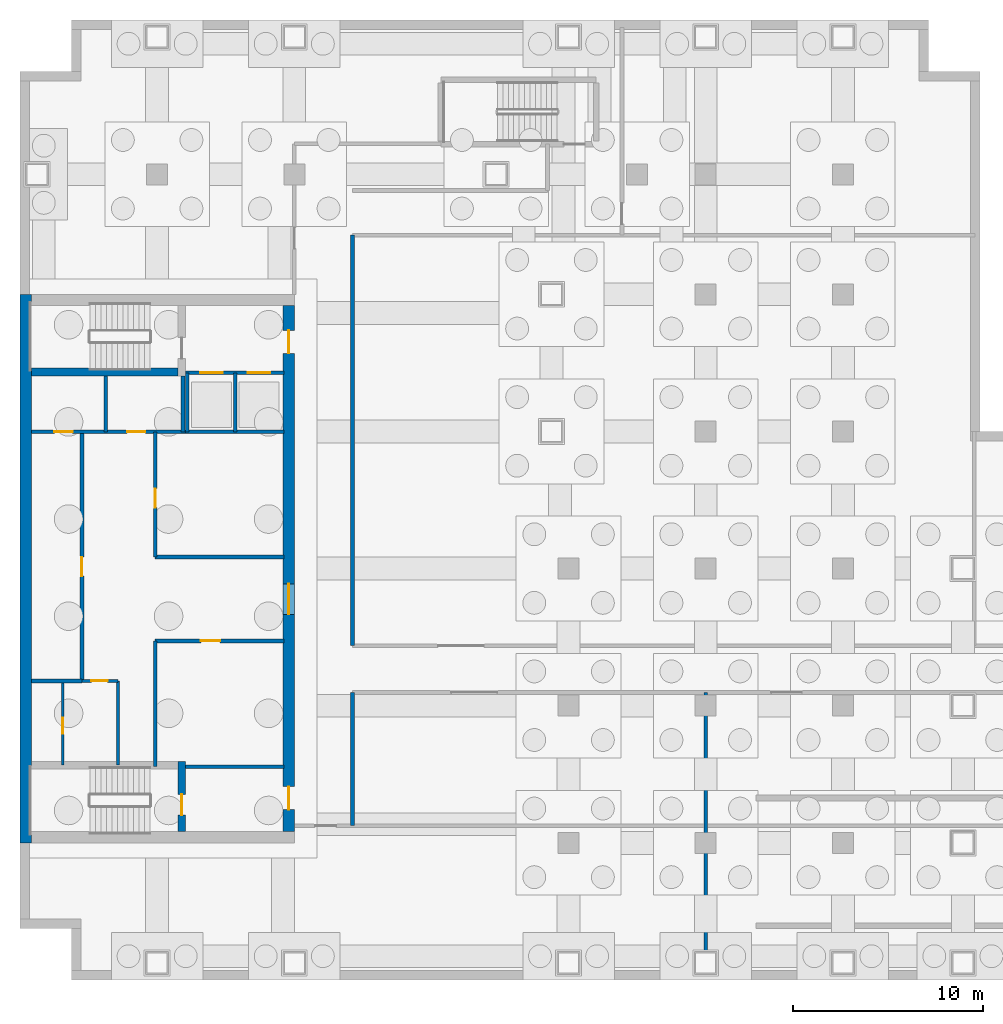
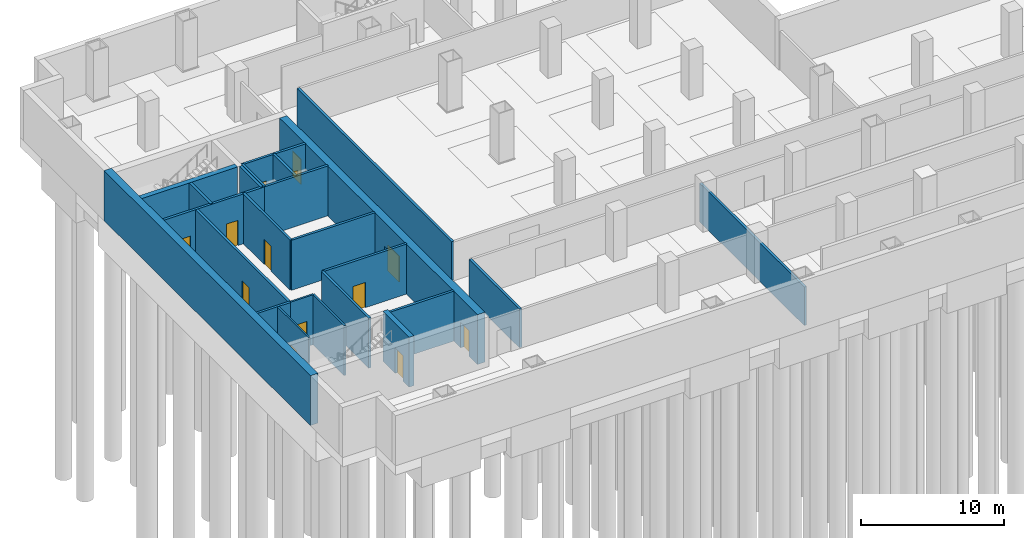
# One storey, part 5 of 11: 24 walls, 13 doors, 13 openings.
"""IFC4 building model written with IfcOpenShell, lengths in metres."""

from ifc_helpers import new_model, si_unit, direction, frame, frame_2d, origin, place, context, subcontext, project, spatial, rectangle, extrude, material, layer, layer_set, type_object, element, fill, save


model = new_model("IFC4")

# Units and contexts
model_context = context("Model", 3, precision=1e-05, world=origin(), true_north=direction((0.0, 1.0)))
body_context = subcontext(model_context, "Body", "Model", "MODEL_VIEW")
ifc_project = project(units=[si_unit("LENGTHUNIT", "METRE"), si_unit("AREAUNIT", "SQUARE_METRE"), si_unit("VOLUMEUNIT", "CUBIC_METRE"), si_unit("PLANEANGLEUNIT", "RADIAN"), si_unit("MASSUNIT", "GRAM", prefix="KILO")], contexts=[model_context])

# Site, building, storey
site_placement = place(None, origin())
site = spatial("IfcSite", under=ifc_project, at=site_placement, CompositionType="ELEMENT")
building_placement = place(site_placement, origin())
building = spatial("IfcBuilding", under=site, at=building_placement, Name="Cobrela Telecom Tower", CompositionType="ELEMENT")
storey_placement = place(building_placement, frame((0.0, 0.0, -9.10009765625)))
storey = spatial("IfcBuildingStorey", under=building, at=storey_placement, Name="B2", CompositionType="ELEMENT", Elevation=-9.10009765625)

# Wall
ifc_material_1 = material(Name="Concrete C50/60", Category="concrete")
ifc_layer_1 = layer(ifc_material_1, 0.60009765625)
ifc_layer_set_1 = layer_set([ifc_layer_1], Name="Concrete C50/60")
wall_type_1 = type_object("IfcWallType", Name="WALL-CORE-C50-600", PredefinedType="SHEAR", material=ifc_layer_set_1)
wall_1_placement = place(storey_placement, frame((0.300048828125, 7.199951171875, 0.0), z_axis=(0.0, 0.0, 1.0), x_axis=(0.0, 1.0, 0.0)))
element("IfcWall", 1, at=wall_1_placement, inside=storey, type_object=wall_type_1, Name="B2 West Core Shear Wall", PredefinedType="SHEAR", context=body_context, shape_type="SweptSolid", body=[
    extrude(rectangle(XDim=28.800048828125, YDim=0.60009765625, at=frame_2d((14.39990234375, 0.0))), origin(), (0.0, 0.0, 1.0), 4.25),
])

# Wall, openings, doors
wall_2_placement = place(storey_placement, frame((14.10009765625, 35.39990234375, 0.0), z_axis=(0.0, 0.0, 1.0), x_axis=(0.0, -1.0, 0.0)))
wall_2 = element("IfcWall", 2, at=wall_2_placement, inside=storey, type_object=wall_type_1, Name="B2 East Core Shear Wall", PredefinedType="SHEAR", context=body_context, shape_type="SweptSolid", body=[
    extrude(rectangle(XDim=27.599853515625, YDim=0.60009765625, at=frame_2d((13.7998046875, 0.0))), origin(), (0.0, 0.0, 1.0), 4.25),
])
opening_1_placement = place(wall_2_placement, frame((1.300048828125, 0.0, 0.0)))
opening_1 = element("IfcOpeningElement", 3, at=opening_1_placement, cuts=wall_2, Name="Opening DR-19", PredefinedType="OPENING", context=body_context, shape_type="SweptSolid", body=[
    extrude(rectangle(XDim=1.199951171875, YDim=2.14990234375, at=frame_2d((0.60009765625, 1.074951171875))), frame((0.0, 0.31201171875, 0.0), z_axis=(0.0, -1.0, 0.0), x_axis=(1.0, 0.0, 0.0)), (0.0, 0.0, 1.0), 0.6240234375),
])
opening_2_placement = place(wall_2_placement, frame((25.25, 0.0, 0.0)))
opening_2 = element("IfcOpeningElement", 4, at=opening_2_placement, cuts=wall_2, Name="Opening DR-19", PredefinedType="OPENING", context=body_context, shape_type="SweptSolid", body=[
    extrude(rectangle(XDim=1.199951171875, YDim=2.14990234375, at=frame_2d((0.60009765625, 1.074951171875))), frame((0.0, 0.31201171875, 0.0), z_axis=(0.0, -1.0, 0.0), x_axis=(1.0, 0.0, 0.0)), (0.0, 0.0, 1.0), 0.6240234375),
])
opening_3_placement = place(wall_2_placement, frame((14.60009765625, 0.0, 0.0)))
opening_3 = element("IfcOpeningElement", 5, at=opening_3_placement, cuts=wall_2, Name="Opening DR-51", PredefinedType="OPENING", context=body_context, shape_type="SweptSolid", body=[
    extrude(rectangle(XDim=1.60009765625, YDim=2.199951171875, at=frame_2d((0.800048828125, 1.10009765625))), frame((0.0, 0.31201171875, 0.0), z_axis=(0.0, -1.0, 0.0), x_axis=(1.0, 0.0, 0.0)), (0.0, 0.0, 1.0), 0.6240234375),
])
ifc_material_2 = material(Name="Steel ASTM A36", Category="steel")
door_type_1 = type_object("IfcDoorType", Name="DOOR-FD60-1200", OperationType="SINGLE_SWING_LEFT", PredefinedType="DOOR", material=ifc_material_2)
door_1_placement = place(opening_1_placement, origin())
door_1 = element("IfcDoor", 6, at=door_1_placement, inside=storey, type_object=door_type_1, Name="B2 Door DR-19", OperationType="SINGLE_SWING_LEFT", OverallHeight=2.14990234375, OverallWidth=1.199951171875, PredefinedType="DOOR", context=body_context, shape_type="SweptSolid", body=[
    extrude(rectangle(XDim=1.199951171875, YDim=2.14990234375, at=frame_2d((0.60009765625, 1.074951171875))), frame((0.0, 0.02490234375, 0.0), z_axis=(0.0, -1.0, 0.0), x_axis=(1.0, 0.0, 0.0)), (0.0, 0.0, 1.0), 0.050048828125),
])
fill(opening_1, door_1)
door_2_placement = place(opening_2_placement, origin())
door_2 = element("IfcDoor", 7, at=door_2_placement, inside=storey, type_object=door_type_1, Name="B2 Door DR-19", OperationType="SINGLE_SWING_RIGHT", OverallHeight=2.14990234375, OverallWidth=1.199951171875, PredefinedType="DOOR", context=body_context, shape_type="SweptSolid", body=[
    extrude(rectangle(XDim=1.199951171875, YDim=2.14990234375, at=frame_2d((0.60009765625, 1.074951171875))), frame((0.0, 0.02490234375, 0.0), z_axis=(0.0, -1.0, 0.0), x_axis=(1.0, 0.0, 0.0)), (0.0, 0.0, 1.0), 0.050048828125),
])
fill(opening_2, door_2)
door_type_2 = type_object("IfcDoorType", Name="DOOR-FD60-1600", OperationType="SINGLE_SWING_LEFT", PredefinedType="DOOR", material=ifc_material_2)
door_3_placement = place(opening_3_placement, origin())
door_3 = element("IfcDoor", 8, at=door_3_placement, inside=storey, type_object=door_type_2, Name="B2 Door DR-51", OperationType="DOUBLE_DOOR_SINGLE_SWING", OverallHeight=2.199951171875, OverallWidth=1.60009765625, PredefinedType="DOOR", context=body_context, shape_type="SweptSolid", body=[
    extrude(rectangle(XDim=1.60009765625, YDim=2.199951171875, at=frame_2d((0.800048828125, 1.10009765625))), frame((0.0, 0.02490234375, 0.0), z_axis=(0.0, -1.0, 0.0), x_axis=(1.0, 0.0, 0.0)), (0.0, 0.0, 1.0), 0.050048828125),
])
fill(opening_3, door_3)

# Wall, opening, door
ifc_material_3 = material(Name="Fire-Rated Gypsum Plasterboard")
ifc_layer_2 = layer(ifc_material_3, 0.125)
ifc_layer_set_2 = layer_set([ifc_layer_2], Name="Fire-Rated Gypsum Plasterboard")
wall_type_2 = type_object("IfcWallType", Name="WALL-PART-125", PredefinedType="PARTITIONING", material=ifc_layer_set_2)
wall_3_placement = place(storey_placement, frame((2.25, 11.280029296875, 0.0), z_axis=(0.0, 0.0, 1.0), x_axis=(0.0, 1.0, 0.0)))
wall_3 = element("IfcWall", 9, at=wall_3_placement, inside=storey, type_object=wall_type_2, Name="B2 Interior Partition CW-FK0-V", PredefinedType="PARTITIONING", context=body_context, shape_type="SweptSolid", body=[
    extrude(rectangle(XDim=4.419921875, YDim=0.125, at=frame_2d((2.2099609375, 0.0))), origin(), (0.0, 0.0, 1.0), 4.25),
])
opening_4_placement = place(wall_3_placement, frame((1.64990234375, 0.0, 0.0)))
opening_4 = element("IfcOpeningElement", 10, at=opening_4_placement, cuts=wall_3, Name="Opening DR-11", PredefinedType="OPENING", context=body_context, shape_type="SweptSolid", body=[
    extrude(rectangle(XDim=0.85009765625, YDim=2.14990234375, at=frame_2d((0.425048828125, 1.074951171875))), frame((0.0, 0.074462890625, 0.0), z_axis=(0.0, -1.0, 0.0), x_axis=(1.0, 0.0, 0.0)), (0.0, 0.0, 1.0), 0.14892578125),
])
ifc_material_4 = material(Name="Solid Engineered Oak Timber", Category="wood")
door_type_3 = type_object("IfcDoorType", Name="DOOR-INT-850", OperationType="SINGLE_SWING_LEFT", PredefinedType="DOOR", material=ifc_material_4)
door_4_placement = place(opening_4_placement, origin())
door_4 = element("IfcDoor", 11, at=door_4_placement, inside=storey, type_object=door_type_3, Name="B2 Door DR-11", OperationType="SINGLE_SWING_LEFT", OverallHeight=2.14990234375, OverallWidth=0.85009765625, PredefinedType="DOOR", context=body_context, shape_type="SweptSolid", body=[
    extrude(rectangle(XDim=0.85009765625, YDim=2.14990234375, at=frame_2d((0.425048828125, 1.074951171875))), frame((0.0, 0.02490234375, 0.0), z_axis=(0.0, -1.0, 0.0), x_axis=(1.0, 0.0, 0.0)), (0.0, 0.0, 1.0), 0.050048828125),
])
fill(opening_4, door_4)

ifc_layer_3 = layer(ifc_material_3, 0.14990234375)
ifc_layer_set_3 = layer_set([ifc_layer_3], Name="Fire-Rated Gypsum Plasterboard")
wall_type_3 = type_object("IfcWallType", Name="WALL-PART-150", PredefinedType="PARTITIONING", material=ifc_layer_set_3)
wall_4_placement = place(storey_placement, frame((3.25, 15.699951171875, 0.0), z_axis=(0.0, 0.0, 1.0), x_axis=(1.0, 0.0, 0.0)))
wall_4 = element("IfcWall", 12, at=wall_4_placement, inside=storey, type_object=wall_type_3, Name="B2 Interior Partition CW-FLEX-N", PredefinedType="PARTITIONING", context=body_context, shape_type="SweptSolid", body=[
    extrude(rectangle(XDim=1.89990234375, YDim=0.14990234375, at=frame_2d((0.949951171875, 0.0))), origin(), (0.0, 0.0, 1.0), 4.25),
])
opening_5_placement = place(wall_4_placement, frame((0.5, 0.0, 0.0)))
opening_5 = element("IfcOpeningElement", 13, at=opening_5_placement, cuts=wall_4, Name="Opening DR-11", PredefinedType="OPENING", context=body_context, shape_type="SweptSolid", body=[
    extrude(rectangle(XDim=0.85009765625, YDim=2.14990234375, at=frame_2d((0.425048828125, 1.074951171875))), frame((0.0, 0.0869140625, 0.0), z_axis=(0.0, -1.0, 0.0), x_axis=(1.0, 0.0, 0.0)), (0.0, 0.0, 1.0), 0.173828125),
])
door_5_placement = place(opening_5_placement, origin())
door_5 = element("IfcDoor", 14, at=door_5_placement, inside=storey, type_object=door_type_3, Name="B2 Door DR-11", OperationType="SINGLE_SWING_RIGHT", OverallHeight=2.14990234375, OverallWidth=0.85009765625, PredefinedType="DOOR", context=body_context, shape_type="SweptSolid", body=[
    extrude(rectangle(XDim=0.85009765625, YDim=2.14990234375, at=frame_2d((0.425048828125, 1.074951171875))), frame((0.0, 0.02490234375, 0.0), z_axis=(0.0, -1.0, 0.0), x_axis=(1.0, 0.0, 0.0)), (0.0, 0.0, 1.0), 0.050048828125),
])
fill(opening_5, door_5)

# Wall
wall_5_placement = place(storey_placement, frame((5.14990234375, 11.280029296875, 0.0), z_axis=(0.0, 0.0, 1.0), x_axis=(0.0, 1.0, 0.0)))
element("IfcWall", 15, at=wall_5_placement, inside=storey, type_object=wall_type_3, Name="B2 Interior Partition CW-FLEX-E", PredefinedType="PARTITIONING", context=body_context, shape_type="SweptSolid", body=[
    extrude(rectangle(XDim=4.419921875, YDim=0.14990234375, at=frame_2d((2.2099609375, 0.0))), origin(), (0.0, 0.0, 1.0), 4.25),
])

# Wall, openings, doors
ifc_layer_4 = layer(ifc_material_3, 0.199951171875)
ifc_layer_set_4 = layer_set([ifc_layer_4], Name="Fire-Rated Gypsum Plasterboard")
wall_type_4 = type_object("IfcWallType", Name="WALL-SHAFT-200", PredefinedType="PARTITIONING", material=ifc_layer_set_4)
wall_6_placement = place(storey_placement, frame((8.699951171875, 31.8798828125, 0.0), z_axis=(0.0, 0.0, 1.0), x_axis=(1.0, 0.0, 0.0)))
wall_6 = element("IfcWall", 16, at=wall_6_placement, inside=storey, type_object=wall_type_4, Name="B2 Shaft Enclosure CW-FFL-S", PredefinedType="PARTITIONING", context=body_context, shape_type="SweptSolid", body=[
    extrude(rectangle(XDim=5.150146484375, YDim=0.199951171875, at=frame_2d((2.5751953125, 0.0))), origin(), (0.0, 0.0, 1.0), 4.25),
])
opening_6_placement = place(wall_6_placement, frame((0.75, 0.0, 0.0)))
opening_6 = element("IfcOpeningElement", 17, at=opening_6_placement, cuts=wall_6, Name="Opening LD-2", PredefinedType="OPENING", context=body_context, shape_type="SweptSolid", body=[
    extrude(rectangle(XDim=1.199951171875, YDim=2.199951171875, at=frame_2d((0.60009765625, 1.10009765625))), frame((0.0, 0.11181640625, 0.0), z_axis=(0.0, -1.0, 0.0), x_axis=(1.0, 0.0, 0.0)), (0.0, 0.0, 1.0), 0.223876953125),
])
opening_7_placement = place(wall_6_placement, frame((3.25, 0.0, 0.0)))
opening_7 = element("IfcOpeningElement", 18, at=opening_7_placement, cuts=wall_6, Name="Opening LD-2", PredefinedType="OPENING", context=body_context, shape_type="SweptSolid", body=[
    extrude(rectangle(XDim=1.199951171875, YDim=2.199951171875, at=frame_2d((0.60009765625, 1.10009765625))), frame((0.0, 0.11181640625, 0.0), z_axis=(0.0, -1.0, 0.0), x_axis=(1.0, 0.0, 0.0)), (0.0, 0.0, 1.0), 0.223876953125),
])
door_type_4 = type_object("IfcDoorType", Name="DOOR-LD-FFL", OperationType="SINGLE_SWING_LEFT", PredefinedType="DOOR", material=ifc_material_2)
door_6_placement = place(opening_6_placement, origin())
door_6 = element("IfcDoor", 19, at=door_6_placement, inside=storey, type_object=door_type_4, Name="B2 Lift Landing Door LD-2", OperationType="DOUBLE_DOOR_SLIDING", OverallHeight=2.199951171875, OverallWidth=1.199951171875, PredefinedType="DOOR", context=body_context, shape_type="SweptSolid", body=[
    extrude(rectangle(XDim=1.199951171875, YDim=2.199951171875, at=frame_2d((0.60009765625, 1.10009765625))), frame((0.0, 0.02490234375, 0.0), z_axis=(0.0, -1.0, 0.0), x_axis=(1.0, 0.0, 0.0)), (0.0, 0.0, 1.0), 0.050048828125),
])
fill(opening_6, door_6)
door_7_placement = place(opening_7_placement, origin())
door_7 = element("IfcDoor", 20, at=door_7_placement, inside=storey, type_object=door_type_4, Name="B2 Lift Landing Door LD-2", OperationType="DOUBLE_DOOR_SLIDING", OverallHeight=2.199951171875, OverallWidth=1.199951171875, PredefinedType="DOOR", context=body_context, shape_type="SweptSolid", body=[
    extrude(rectangle(XDim=1.199951171875, YDim=2.199951171875, at=frame_2d((0.60009765625, 1.10009765625))), frame((0.0, 0.02490234375, 0.0), z_axis=(0.0, -1.0, 0.0), x_axis=(1.0, 0.0, 0.0)), (0.0, 0.0, 1.0), 0.050048828125),
])
fill(opening_7, door_7)

# Walls
for number, where, z_axis, x_axis, name in (
    (21, (8.699951171875, 11.199951171875, 0.0), (0.0, 0.0, 1.0), (1.0, 0.0, 0.0), "B2 Shaft Enclosure CW-ST2L-N"),
    (22, (8.699951171875, 28.780029296875, 0.0), (0.0, 0.0, 1.0), (1.0, 0.0, 0.0), "B2 Shaft Enclosure CW-FFL-S2"),
):
    element("IfcWall", number, at=place(storey_placement, frame(where, z_axis=z_axis, x_axis=x_axis)), inside=storey, type_object=wall_type_4, Name=name, PredefinedType="PARTITIONING", context=body_context, shape_type="SweptSolid", body=[
        extrude(rectangle(XDim=5.150146484375, YDim=0.199951171875, at=frame_2d((2.5751953125, 0.0))), origin(), (0.0, 0.0, 1.0), 4.25),
    ])
for number, where, z_axis, x_axis, name in (
    (23, (8.780029296875, 28.780029296875, 0.0), (0.0, 0.0, 1.0), (0.0, 1.0, 0.0), "B2 Shaft Enclosure CW-FFL-W"),
    (24, (11.300048828125, 28.780029296875, 0.0), (0.0, 0.0, 1.0), (0.0, 1.0, 0.0), "B2 Shaft Enclosure CW-FFL-M"),
):
    element("IfcWall", number, at=place(storey_placement, frame(where, z_axis=z_axis, x_axis=x_axis)), inside=storey, type_object=wall_type_4, Name=name, PredefinedType="PARTITIONING", context=body_context, shape_type="SweptSolid", body=[
        extrude(rectangle(XDim=3.099853515625, YDim=0.199951171875, at=frame_2d((1.5498046875, 0.0))), origin(), (0.0, 0.0, 1.0), 4.25),
    ])

# Wall, openings, doors
wall_7_placement = place(storey_placement, frame((0.60009765625, 28.780029296875, 0.0), z_axis=(0.0, 0.0, 1.0), x_axis=(1.0, 0.0, 0.0)))
wall_7 = element("IfcWall", 25, at=wall_7_placement, inside=storey, type_object=wall_type_4, Name="B2 Shaft Enclosure CW-RIS-S", PredefinedType="PARTITIONING", context=body_context, shape_type="SweptSolid", body=[
    extrude(rectangle(XDim=8.179931640625, YDim=0.199951171875, at=frame_2d((4.08984375, 0.0))), origin(), (0.0, 0.0, 1.0), 4.25),
])
opening_8_placement = place(wall_7_placement, frame((1.2099609375, 0.0, 0.0)))
opening_8 = element("IfcOpeningElement", 26, at=opening_8_placement, cuts=wall_7, Name="Opening DR-65", PredefinedType="OPENING", context=body_context, shape_type="SweptSolid", body=[
    extrude(rectangle(XDim=0.949951171875, YDim=2.14990234375, at=frame_2d((0.47509765625, 1.074951171875))), frame((0.0, 0.11181640625, 0.0), z_axis=(0.0, -1.0, 0.0), x_axis=(1.0, 0.0, 0.0)), (0.0, 0.0, 1.0), 0.223876953125),
])
opening_9_placement = place(wall_7_placement, frame((5.030029296875, 0.0, 0.0)))
opening_9 = element("IfcOpeningElement", 27, at=opening_9_placement, cuts=wall_7, Name="Opening DR-65", PredefinedType="OPENING", context=body_context, shape_type="SweptSolid", body=[
    extrude(rectangle(XDim=0.949951171875, YDim=2.14990234375, at=frame_2d((0.47509765625, 1.074951171875))), frame((0.0, 0.11181640625, 0.0), z_axis=(0.0, -1.0, 0.0), x_axis=(1.0, 0.0, 0.0)), (0.0, 0.0, 1.0), 0.223876953125),
])
door_type_5 = type_object("IfcDoorType", Name="DOOR-FD60-950", OperationType="SINGLE_SWING_LEFT", PredefinedType="DOOR", material=ifc_material_2)
door_8_placement = place(opening_8_placement, origin())
door_8 = element("IfcDoor", 28, at=door_8_placement, inside=storey, type_object=door_type_5, Name="B2 Door DR-65", OperationType="SINGLE_SWING_LEFT", OverallHeight=2.14990234375, OverallWidth=0.949951171875, PredefinedType="DOOR", context=body_context, shape_type="SweptSolid", body=[
    extrude(rectangle(XDim=0.949951171875, YDim=2.14990234375, at=frame_2d((0.47509765625, 1.074951171875))), frame((0.0, 0.02490234375, 0.0), z_axis=(0.0, -1.0, 0.0), x_axis=(1.0, 0.0, 0.0)), (0.0, 0.0, 1.0), 0.050048828125),
])
fill(opening_8, door_8)
door_9_placement = place(opening_9_placement, origin())
door_9 = element("IfcDoor", 29, at=door_9_placement, inside=storey, type_object=door_type_5, Name="B2 Door DR-65", OperationType="SINGLE_SWING_RIGHT", OverallHeight=2.14990234375, OverallWidth=0.949951171875, PredefinedType="DOOR", context=body_context, shape_type="SweptSolid", body=[
    extrude(rectangle(XDim=0.949951171875, YDim=2.14990234375, at=frame_2d((0.47509765625, 1.074951171875))), frame((0.0, 0.02490234375, 0.0), z_axis=(0.0, -1.0, 0.0), x_axis=(1.0, 0.0, 0.0)), (0.0, 0.0, 1.0), 0.050048828125),
])
fill(opening_9, door_9)

# Walls
for number, where, z_axis, x_axis, name in (
    (30, (4.5, 28.780029296875, 0.0), (0.0, 0.0, 1.0), (0.0, 1.0, 0.0), "B2 Shaft Enclosure CW-RIS-M"),
    (31, (8.550048828125, 28.780029296875, 0.0), (0.0, 0.0, 1.0), (0.0, 1.0, 0.0), "B2 Shaft Enclosure CW-RIS-E"),
):
    element("IfcWall", number, at=place(storey_placement, frame(where, z_axis=z_axis, x_axis=x_axis)), inside=storey, type_object=wall_type_4, Name=name, PredefinedType="PARTITIONING", context=body_context, shape_type="SweptSolid", body=[
        extrude(rectangle(XDim=2.93994140625, YDim=0.199951171875, at=frame_2d((1.469970703125, 0.0))), origin(), (0.0, 0.0, 1.0), 4.25),
    ])

# Wall, opening, door
wall_8_placement = place(storey_placement, frame((3.25, 15.699951171875, 0.0), z_axis=(0.0, 0.0, 1.0), x_axis=(0.0, 1.0, 0.0)))
wall_8 = element("IfcWall", 32, at=wall_8_placement, inside=storey, type_object=wall_type_4, Name="B2 Shaft Enclosure CW-PLH-E", PredefinedType="PARTITIONING", context=body_context, shape_type="SweptSolid", body=[
    extrude(rectangle(XDim=13.080078125, YDim=0.199951171875, at=frame_2d((6.5400390625, 0.0))), origin(), (0.0, 0.0, 1.0), 4.25),
])
opening_10_placement = place(wall_8_placement, frame((5.5, 0.0, 0.0)))
opening_10 = element("IfcOpeningElement", 33, at=opening_10_placement, cuts=wall_8, Name="Opening DR-15", PredefinedType="OPENING", context=body_context, shape_type="SweptSolid", body=[
    extrude(rectangle(XDim=1.0, YDim=2.14990234375, at=frame_2d((0.5, 1.074951171875))), frame((0.0, 0.11181640625, 0.0), z_axis=(0.0, -1.0, 0.0), x_axis=(1.0, 0.0, 0.0)), (0.0, 0.0, 1.0), 0.223876953125),
])
door_type_6 = type_object("IfcDoorType", Name="DOOR-FD60-1000", OperationType="SINGLE_SWING_LEFT", PredefinedType="DOOR", material=ifc_material_2)
door_10_placement = place(opening_10_placement, origin())
door_10 = element("IfcDoor", 34, at=door_10_placement, inside=storey, type_object=door_type_6, Name="B2 Door DR-15", OperationType="SINGLE_SWING_RIGHT", OverallHeight=2.14990234375, OverallWidth=1.0, PredefinedType="DOOR", context=body_context, shape_type="SweptSolid", body=[
    extrude(rectangle(XDim=1.0, YDim=2.14990234375, at=frame_2d((0.5, 1.074951171875))), frame((0.0, 0.02490234375, 0.0), z_axis=(0.0, -1.0, 0.0), x_axis=(1.0, 0.0, 0.0)), (0.0, 0.0, 1.0), 0.050048828125),
])
fill(opening_10, door_10)

# Wall
wall_9_placement = place(storey_placement, frame((0.60009765625, 15.699951171875, 0.0), z_axis=(0.0, 0.0, 1.0), x_axis=(1.0, 0.0, 0.0)))
element("IfcWall", 35, at=wall_9_placement, inside=storey, type_object=wall_type_4, Name="B2 Shaft Enclosure CW-PLH-BS", PredefinedType="PARTITIONING", context=body_context, shape_type="SweptSolid", body=[
    extrude(rectangle(XDim=2.64990234375, YDim=0.199951171875, at=frame_2d((1.324951171875, 0.0))), origin(), (0.0, 0.0, 1.0), 4.25),
])

# Wall, opening, door
wall_10_placement = place(storey_placement, frame((7.10009765625, 22.199951171875, 0.0), z_axis=(0.0, 0.0, 1.0), x_axis=(0.0, 1.0, 0.0)))
wall_10 = element("IfcWall", 36, at=wall_10_placement, inside=storey, type_object=wall_type_4, Name="B2 Shaft Enclosure CW-PLL-W", PredefinedType="PARTITIONING", context=body_context, shape_type="SweptSolid", body=[
    extrude(rectangle(XDim=6.580078125, YDim=0.199951171875, at=frame_2d((3.2900390625, 0.0))), origin(), (0.0, 0.0, 1.0), 4.25),
])
opening_11_placement = place(wall_10_placement, frame((2.60009765625, 0.0, 0.0)))
opening_11 = element("IfcOpeningElement", 37, at=opening_11_placement, cuts=wall_10, Name="Opening DR-15", PredefinedType="OPENING", context=body_context, shape_type="SweptSolid", body=[
    extrude(rectangle(XDim=1.0, YDim=2.14990234375, at=frame_2d((0.5, 1.074951171875))), frame((0.0, 0.11181640625, 0.0), z_axis=(0.0, -1.0, 0.0), x_axis=(1.0, 0.0, 0.0)), (0.0, 0.0, 1.0), 0.223876953125),
])
door_11_placement = place(opening_11_placement, origin())
door_11 = element("IfcDoor", 38, at=door_11_placement, inside=storey, type_object=door_type_6, Name="B2 Door DR-15", OperationType="SINGLE_SWING_RIGHT", OverallHeight=2.14990234375, OverallWidth=1.0, PredefinedType="DOOR", context=body_context, shape_type="SweptSolid", body=[
    extrude(rectangle(XDim=1.0, YDim=2.14990234375, at=frame_2d((0.5, 1.074951171875))), frame((0.0, 0.02490234375, 0.0), z_axis=(0.0, -1.0, 0.0), x_axis=(1.0, 0.0, 0.0)), (0.0, 0.0, 1.0), 0.050048828125),
])
fill(opening_11, door_11)

# Wall
wall_11_placement = place(storey_placement, frame((7.10009765625, 22.199951171875, 0.0), z_axis=(0.0, 0.0, 1.0), x_axis=(1.0, 0.0, 0.0)))
element("IfcWall", 39, at=wall_11_placement, inside=storey, type_object=wall_type_4, Name="B2 Shaft Enclosure CW-PLL-BS", PredefinedType="PARTITIONING", context=body_context, shape_type="SweptSolid", body=[
    extrude(rectangle(XDim=6.75, YDim=0.199951171875, at=frame_2d((3.375, 0.0))), origin(), (0.0, 0.0, 1.0), 4.25),
])

# Wall, opening, door
wall_12_placement = place(storey_placement, frame((7.10009765625, 17.800048828125, 0.0), z_axis=(0.0, 0.0, 1.0), x_axis=(1.0, 0.0, 0.0)))
wall_12 = element("IfcWall", 40, at=wall_12_placement, inside=storey, type_object=wall_type_4, Name="B2 Shaft Enclosure CW-PLM-N", PredefinedType="PARTITIONING", context=body_context, shape_type="SweptSolid", body=[
    extrude(rectangle(XDim=6.75, YDim=0.199951171875, at=frame_2d((3.375, 0.0))), origin(), (0.0, 0.0, 1.0), 4.25),
])
opening_12_placement = place(wall_12_placement, frame((2.39990234375, 0.0, 0.0)))
opening_12 = element("IfcOpeningElement", 41, at=opening_12_placement, cuts=wall_12, Name="Opening DR-15", PredefinedType="OPENING", context=body_context, shape_type="SweptSolid", body=[
    extrude(rectangle(XDim=1.0, YDim=2.14990234375, at=frame_2d((0.5, 1.074951171875))), frame((0.0, 0.11181640625, 0.0), z_axis=(0.0, -1.0, 0.0), x_axis=(1.0, 0.0, 0.0)), (0.0, 0.0, 1.0), 0.223876953125),
])
door_12_placement = place(opening_12_placement, origin())
door_12 = element("IfcDoor", 42, at=door_12_placement, inside=storey, type_object=door_type_6, Name="B2 Door DR-15", OperationType="SINGLE_SWING_LEFT", OverallHeight=2.14990234375, OverallWidth=1.0, PredefinedType="DOOR", context=body_context, shape_type="SweptSolid", body=[
    extrude(rectangle(XDim=1.0, YDim=2.14990234375, at=frame_2d((0.5, 1.074951171875))), frame((0.0, 0.02490234375, 0.0), z_axis=(0.0, -1.0, 0.0), x_axis=(1.0, 0.0, 0.0)), (0.0, 0.0, 1.0), 0.050048828125),
])
fill(opening_12, door_12)

# Walls
wall_13_placement = place(storey_placement, frame((7.10009765625, 11.199951171875, 0.0), z_axis=(0.0, 0.0, 1.0), x_axis=(0.0, 1.0, 0.0)))
element("IfcWall", 43, at=wall_13_placement, inside=storey, type_object=wall_type_4, Name="B2 Shaft Enclosure CW-PLM-W", PredefinedType="PARTITIONING", context=body_context, shape_type="SweptSolid", body=[
    extrude(rectangle(XDim=6.60009765625, YDim=0.199951171875, at=frame_2d((3.300048828125, 0.0))), origin(), (0.0, 0.0, 1.0), 4.25),
])
wall_14_placement = place(storey_placement, frame((17.449951171875, 8.10009765625, 0.0), z_axis=(0.0, 0.0, 1.0), x_axis=(0.0, 1.0, 0.0)))
element("IfcWall", 44, at=wall_14_placement, inside=storey, type_object=wall_type_4, Name="B2 Shaft Enclosure W-B2-E1", PredefinedType="PARTITIONING", context=body_context, shape_type="SweptSolid", body=[
    extrude(rectangle(XDim=7.0, YDim=0.199951171875, at=frame_2d((3.5, 0.0))), origin(), (0.0, 0.0, 1.0), 3.2880859375),
])
wall_15_placement = place(storey_placement, frame((17.449951171875, 17.550048828125, 0.0), z_axis=(0.0, 0.0, 1.0), x_axis=(0.0, 1.0, 0.0)))
element("IfcWall", 45, at=wall_15_placement, inside=storey, type_object=wall_type_4, Name="B2 Shaft Enclosure W-B2-E2", PredefinedType="PARTITIONING", context=body_context, shape_type="SweptSolid", body=[
    extrude(rectangle(XDim=21.550048828125, YDim=0.199951171875, at=frame_2d((10.77490234375, 0.0))), origin(), (0.0, 0.0, 1.0), 3.2880859375),
])
wall_16_placement = place(storey_placement, frame((36.0, 0.5, 0.0), z_axis=(0.0, 0.0, 1.0), x_axis=(0.0, 1.0, 0.0)))
element("IfcWall", 46, at=wall_16_placement, inside=storey, type_object=wall_type_4, Name="B2 Shaft Enclosure W-B2-V2", PredefinedType="PARTITIONING", context=body_context, shape_type="SweptSolid", body=[
    extrude(rectangle(XDim=14.60009765625, YDim=0.199951171875, at=frame_2d((7.300048828125, 0.0))), origin(), (0.0, 0.0, 1.0), 3.2880859375),
])
ifc_material_5 = material(Name="Concrete C40/50", Category="concrete")
ifc_layer_5 = layer(ifc_material_5, 0.39990234375)
ifc_layer_set_5 = layer_set([ifc_layer_5], Name="Concrete C40/50")
wall_type_5 = type_object("IfcWallType", Name="WALL-SHAFT-C40-400", PredefinedType="SHEAR", material=ifc_layer_set_5)
wall_17_placement = place(storey_placement, frame((0.60009765625, 31.919921875, 0.0), z_axis=(0.0, 0.0, 1.0), x_axis=(1.0, 0.0, 0.0)))
element("IfcWall", 47, at=wall_17_placement, inside=storey, type_object=wall_type_5, Name="B2 North Stair Shear Wall", PredefinedType="SHEAR", context=body_context, shape_type="SweptSolid", body=[
    extrude(rectangle(XDim=7.699951171875, YDim=0.39990234375, at=frame_2d((3.85009765625, 0.0))), origin(), (0.0, 0.0, 1.0), 4.25),
])

# Wall, opening, door
wall_18_placement = place(storey_placement, frame((8.5, 7.800048828125, 0.0), z_axis=(0.0, 0.0, 1.0), x_axis=(0.0, 1.0, 0.0)))
wall_18 = element("IfcWall", 48, at=wall_18_placement, inside=storey, type_object=wall_type_5, Name="B2 South Stair Lobby Shear Wall", PredefinedType="SHEAR", context=body_context, shape_type="SweptSolid", body=[
    extrude(rectangle(XDim=3.679931640625, YDim=0.39990234375, at=frame_2d((1.83984375, 0.0))), origin(), (0.0, 0.0, 1.0), 4.25),
])
opening_13_placement = place(wall_18_placement, frame((0.85009765625, 0.0, 0.0)))
opening_13 = element("IfcOpeningElement", 49, at=opening_13_placement, cuts=wall_18, Name="Opening FD-90", PredefinedType="OPENING", context=body_context, shape_type="SweptSolid", body=[
    extrude(rectangle(XDim=1.10009765625, YDim=2.14990234375, at=frame_2d((0.550048828125, 1.074951171875))), frame((0.0, 0.2119140625, 0.0), z_axis=(0.0, -1.0, 0.0), x_axis=(1.0, 0.0, 0.0)), (0.0, 0.0, 1.0), 0.423828125),
])
door_type_7 = type_object("IfcDoorType", Name="DOOR-FD90-1100", OperationType="SINGLE_SWING_LEFT", PredefinedType="DOOR", material=ifc_material_2)
door_13_placement = place(opening_13_placement, origin())
door_13 = element("IfcDoor", 50, at=door_13_placement, inside=storey, type_object=door_type_7, Name="B2 Door FD-90", OperationType="SINGLE_SWING_LEFT", OverallHeight=2.14990234375, OverallWidth=1.10009765625, PredefinedType="DOOR", context=body_context, shape_type="SweptSolid", body=[
    extrude(rectangle(XDim=1.10009765625, YDim=2.14990234375, at=frame_2d((0.550048828125, 1.074951171875))), frame((0.0, 0.02490234375, 0.0), z_axis=(0.0, -1.0, 0.0), x_axis=(1.0, 0.0, 0.0)), (0.0, 0.0, 1.0), 0.050048828125),
])
fill(opening_13, door_13)

save(model, "model.ifc")
